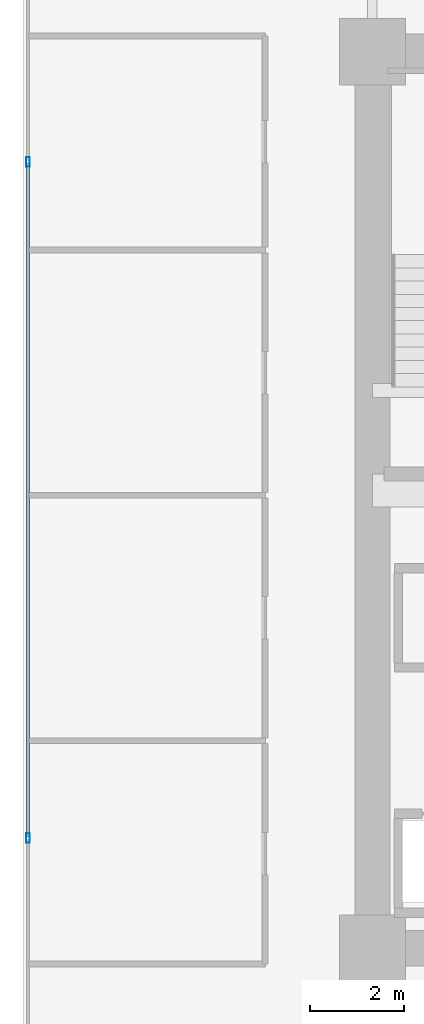
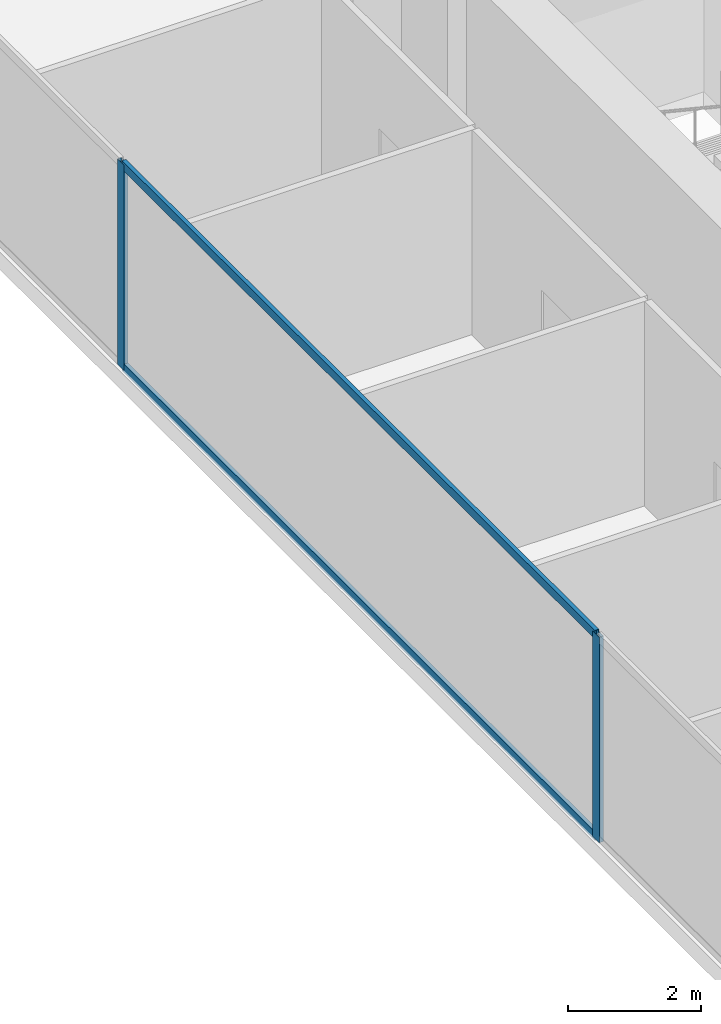
# One storey, part 6 of 36: 4 members, 1 element without a shape of its own.
"""IFC4 building model written with IfcOpenShell, lengths in metres."""

from ifc_helpers import new_model, si_unit, direction, frame, origin, origin_2d, place, context, subcontext, project, spatial, hollow_rectangle, extrude, source, transform, mapped, material, layer, layer_set, material_profile, profile_set, type_object, type_shapes, element, aggregate, save


model = new_model("IFC4")

# Units and contexts
model_context = context("Model", 3, precision=1e-05, world=origin(), true_north=direction((0.0, 1.0)))
body_context = subcontext(model_context, "Body", "Model", "MODEL_VIEW")
ifc_project = project(units=[si_unit("LENGTHUNIT", "METRE"), si_unit("AREAUNIT", "SQUARE_METRE"), si_unit("VOLUMEUNIT", "CUBIC_METRE"), si_unit("PLANEANGLEUNIT", "RADIAN"), si_unit("MASSUNIT", "GRAM", prefix="KILO")], contexts=[model_context])

# Site, building, storey
site_placement = place(None, origin())
site = spatial("IfcSite", under=ifc_project, at=site_placement, CompositionType="ELEMENT")
building_placement = place(site_placement, origin())
building = spatial("IfcBuilding", under=site, at=building_placement, Name="Haelvirn Gate Laboratories", CompositionType="ELEMENT")
storey_placement = place(building_placement, frame((0.0, 0.0, 49.800048828125)))
storey = spatial("IfcBuildingStorey", under=building, at=storey_placement, Name="L12", CompositionType="ELEMENT", Elevation=49.800048828125)

# Curtain wall, members
ifc_material_1 = material(Name="Anodised bronze unitised aluminium & triple low-E glass", Category="aluminium")
ifc_layer = layer(ifc_material_1, 0.18408203125, Name="CW-SYS-2")
ifc_layer_set = layer_set([ifc_layer], Name="Anodised bronze unitised aluminium & triple low-E glass")
curtain_wall_type = type_object("IfcCurtainWallType", Name="CW-SYS-2", PredefinedType="NOTDEFINED", material=ifc_layer_set)
curtain_wall_placement = place(storey_placement, origin())
curtain_wall = element("IfcCurtainWall", 1, at=curtain_wall_placement, inside=storey, type_object=curtain_wall_type, Name="L12 Unitised Curtain Wall CW-L12-P0-E17", PredefinedType="NOTDEFINED")
ifc_material_2 = material(Name="Extruded aluminium 6063-T6 (anodised bronze)", Category="aluminium")
ifc_material_profile_1 = material_profile(ifc_material_2, hollow_rectangle(XDim=0.074951171875, YDim=0.199951171875, WallThickness=0.0048828125, at=origin_2d()), Name="CWM-200x75x5")
ifc_profile_set_1 = profile_set([ifc_material_profile_1], Name="Extruded aluminium 6063-T6 (anodised bronze)")
member_type_1 = type_object("IfcMemberType", Name="CWM-T200", PredefinedType="MULLION", material=ifc_profile_set_1)
shared_shape_1 = source(origin(), body_context, "Body", "SweptSolid", [
    extrude(hollow_rectangle(XDim=0.074951171875, YDim=0.199951171875, WallThickness=0.0048828125, at=origin_2d()), origin(), (0.0, 0.0, 1.0), 3.780029296875),
])
type_shapes(member_type_1, [shared_shape_1])
member_1_placement = place(storey_placement, frame((0.10009765625, 31.466552734375, 0.0), z_axis=(0.0, 0.0, 1.0), x_axis=(1.0, 0.0, 0.0)))
member_1 = element("IfcMember", 2, at=member_1_placement, type_object=member_type_1, Name="CW2 mullion 2", PredefinedType="MULLION", context=body_context, shape_type="MappedRepresentation", body=[
    mapped(shared_shape_1, transform((0.0, 0.0, 0.0), scale=1.0)),
])
member_2_placement = place(storey_placement, frame((0.10009765625, 17.13330078125, 0.0), z_axis=(0.0, 0.0, 1.0), x_axis=(1.0, 0.0, 0.0)))
member_2 = element("IfcMember", 3, at=member_2_placement, type_object=member_type_1, Name="CW2 mullion 3", PredefinedType="MULLION", context=body_context, shape_type="MappedRepresentation", body=[
    mapped(shared_shape_1, transform((0.0, 0.0, 0.0), scale=1.0)),
])
ifc_material_profile_2 = material_profile(ifc_material_2, hollow_rectangle(XDim=0.070068359375, YDim=0.159912109375, WallThickness=0.0048828125, at=origin_2d()), Name="CWT-160x70x5")
ifc_profile_set_2 = profile_set([ifc_material_profile_2], Name="Extruded aluminium 6063-T6 (anodised bronze)")
member_type_2 = type_object("IfcMemberType", Name="CWT-T160", PredefinedType="USERDEFINED", material=ifc_profile_set_2)
shared_shape_2 = source(origin(), body_context, "Body", "SweptSolid", [
    extrude(hollow_rectangle(XDim=0.070068359375, YDim=0.159912109375, WallThickness=0.0048828125, at=origin_2d()), origin(), (0.0, 0.0, 1.0), 14.25830078125),
])
type_shapes(member_type_2, [shared_shape_2])
member_3_placement = place(storey_placement, frame((0.10009765625, 31.42919921875, 0.034912109375), z_axis=(0.0, -1.0, 0.0), x_axis=(1.0, 0.0, 0.0)))
member_3 = element("IfcMember", 4, at=member_3_placement, type_object=member_type_2, Name="CW2 transom 2.1", ObjectType="TRANSOM", PredefinedType="USERDEFINED", context=body_context, shape_type="MappedRepresentation", body=[
    mapped(shared_shape_2, transform((0.0, 0.0, 0.0), scale=1.0)),
])
member_4_placement = place(storey_placement, frame((0.10009765625, 31.42919921875, 3.744873046875), z_axis=(0.0, -1.0, 0.0), x_axis=(1.0, 0.0, 0.0)))
member_4 = element("IfcMember", 5, at=member_4_placement, type_object=member_type_2, Name="CW2 transom 2.2", ObjectType="TRANSOM", PredefinedType="USERDEFINED", context=body_context, shape_type="MappedRepresentation", body=[
    mapped(shared_shape_2, transform((0.0, 0.0, 0.0), scale=1.0)),
])
aggregate(curtain_wall, [member_1, member_2, member_3, member_4])

save(model, "model.ifc")
